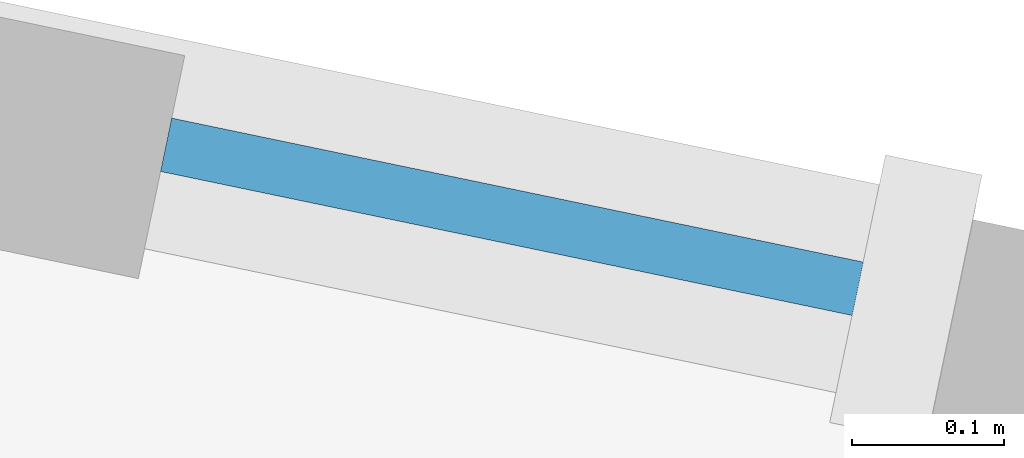
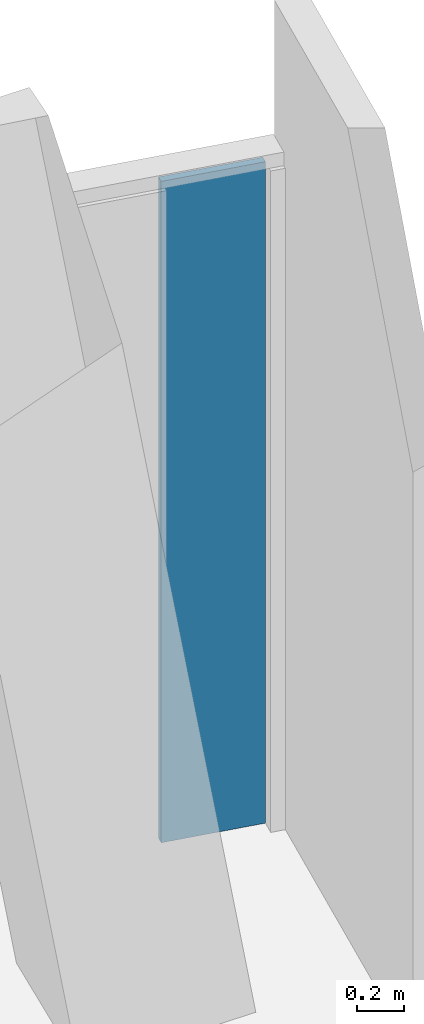
# One storey, part 12 of 21: 1 plate, 1 element without a shape of its own.
"""IFC4 building model written with IfcOpenShell, lengths in metres."""

from ifc_helpers import new_model, si_unit, direction, frame, origin, origin_2d, place, context, subcontext, project, spatial, rectangle, extrude, material, layer, layer_set, type_object, element, aggregate, save


model = new_model("IFC4")

# Units and contexts
model_context = context("Model", 3, precision=1e-05, world=origin(), true_north=direction((0.0, 1.0)))
body_context = subcontext(model_context, "Body", "Model", "MODEL_VIEW")
ifc_project = project(units=[si_unit("LENGTHUNIT", "METRE"), si_unit("AREAUNIT", "SQUARE_METRE"), si_unit("VOLUMEUNIT", "CUBIC_METRE"), si_unit("PLANEANGLEUNIT", "RADIAN"), si_unit("MASSUNIT", "GRAM", prefix="KILO")], contexts=[model_context])

# Site, building, storey
site_placement = place(None, origin())
site = spatial("IfcSite", under=ifc_project, at=site_placement, CompositionType="ELEMENT")
building_placement = place(site_placement, origin())
building = spatial("IfcBuilding", under=site, at=building_placement, Name="Verdalira Terraces Hotel", CompositionType="ELEMENT")
storey_placement = place(building_placement, frame((0.0, 0.0, 107.0)))
storey = spatial("IfcBuildingStorey", under=building, at=storey_placement, Name="L25", CompositionType="ELEMENT", Elevation=107.0)

# Curtain wall, plate
ifc_material_1 = material(Name="Clear glass", Category="glass")
ifc_layer_1 = layer(ifc_material_1, 0.179931640625)
ifc_layer_set_1 = layer_set([ifc_layer_1], Name="CW4 curtain wall")
curtain_wall_type = type_object("IfcCurtainWallType", Name="CW4 curtain wall", PredefinedType="NOTDEFINED", material=ifc_layer_set_1)
curtain_wall_placement = place(storey_placement, origin())
curtain_wall = element("IfcCurtainWall", 1, at=curtain_wall_placement, inside=storey, type_object=curtain_wall_type, Name="CW4 curtain wall L25 edge 38", PredefinedType="NOTDEFINED")
ifc_material_2 = material(Name="Clear glass", Category="glass")
ifc_layer_2 = layer(ifc_material_2, 0.035888671875)
ifc_layer_set_2 = layer_set([ifc_layer_2], Name="CW4 glass unit 36")
plate_type = type_object("IfcPlateType", Name="CW4 glass unit 36", PredefinedType="CURTAIN_PANEL", material=ifc_layer_set_2)
plate_placement = place(storey_placement, frame((28.613281, 0.621338, 0.0), z_axis=(0.0, 0.0, 1.0), x_axis=(-0.979009915, 0.203812624, 0.0)))
plate = element("IfcPlate", 2, at=plate_placement, type_object=plate_type, Name="CW4 glass unit", PredefinedType="CURTAIN_PANEL", context=body_context, shape_type="SweptSolid", body=[
    extrude(rectangle(XDim=0.465088, YDim=0.035889, at=origin_2d()), origin(), (0.0, 0.0, 1.0), 3.419922),
])
aggregate(curtain_wall, [plate])

save(model, "model.ifc")
